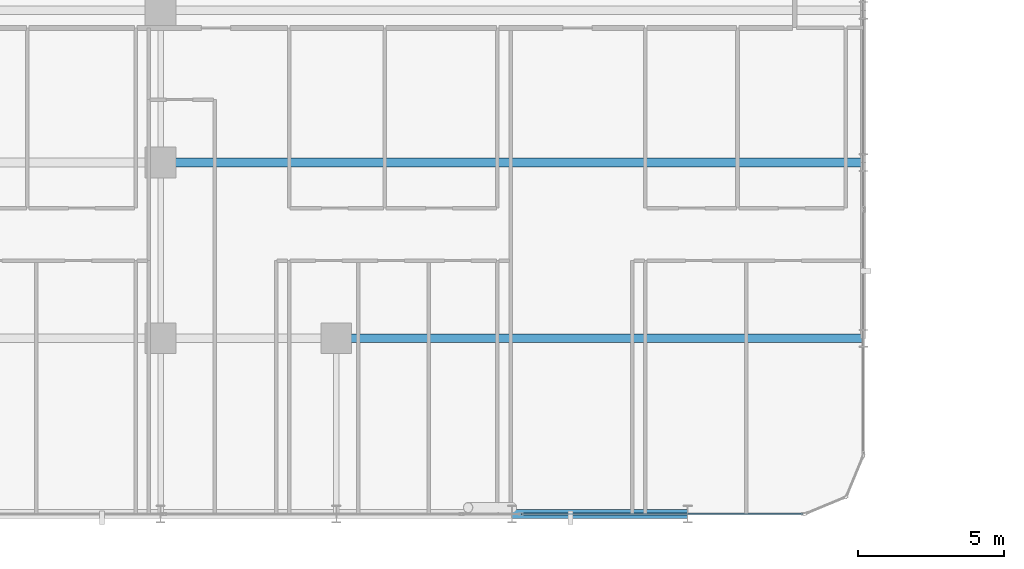
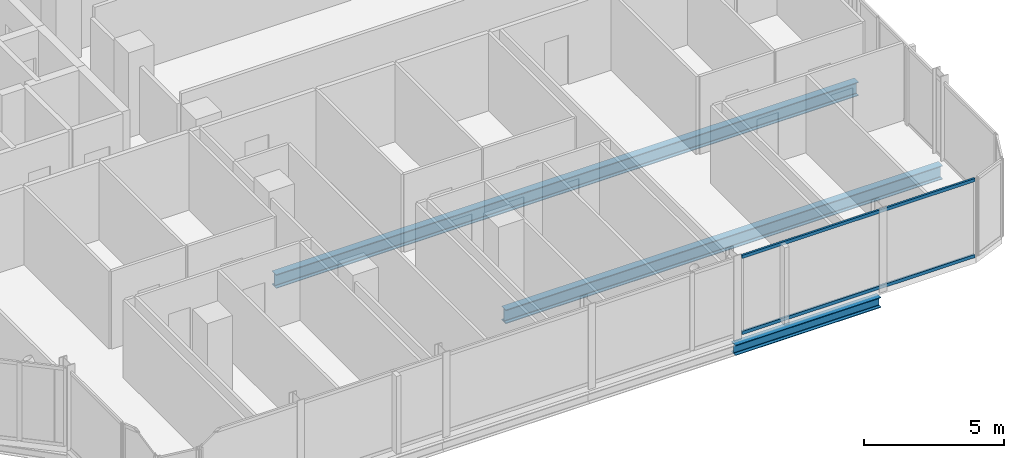
# One storey, part 9 of 29: 3 beams, 2 members, 1 element without a shape of its own.
"""IFC4 building model written with IfcOpenShell, lengths in metres."""

from ifc_helpers import new_model, si_unit, direction, frame, origin, origin_2d, place, context, subcontext, project, spatial, hollow_rectangle, i_section, extrude, material, layer, layer_set, material_profile, profile_set, type_object, element, aggregate, save


model = new_model("IFC4")

# Units and contexts
model_context = context("Model", 3, precision=1e-05, world=origin(), true_north=direction((0.0, 1.0)))
body_context = subcontext(model_context, "Body", "Model", "MODEL_VIEW")
ifc_project = project(units=[si_unit("LENGTHUNIT", "METRE"), si_unit("AREAUNIT", "SQUARE_METRE"), si_unit("VOLUMEUNIT", "CUBIC_METRE"), si_unit("PLANEANGLEUNIT", "RADIAN"), si_unit("MASSUNIT", "GRAM", prefix="KILO")], contexts=[model_context])

# Site, building, storey
site_placement = place(None, origin())
site = spatial("IfcSite", under=ifc_project, at=site_placement, CompositionType="ELEMENT")
building_placement = place(site_placement, origin())
building = spatial("IfcBuilding", under=site, at=building_placement, Name="Keshet Zoharim Tower", CompositionType="ELEMENT")
storey_placement = place(building_placement, frame((0.0, 0.0, 102.0)))
storey = spatial("IfcBuildingStorey", under=building, at=storey_placement, Name="L24", CompositionType="ELEMENT", Elevation=102.0)

# Beams
ifc_material_1 = material(Name="Steel S355", Category="steel")
ifc_material_profile_1 = material_profile(ifc_material_1, i_section(OverallWidth=0.300048828125, OverallDepth=0.60009765625, WebThickness=0.015380859375, FlangeThickness=0.030029296875, FilletRadius=0.027099609375, at=origin_2d()), Name="HEB600")
ifc_profile_set_1 = profile_set([ifc_material_profile_1], Name="Steel S355")
beam_type_1 = type_object("IfcBeamType", Name="BM-LNG-HB600", PredefinedType="BEAM", material=ifc_profile_set_1)
beam_1_placement = place(storey_placement, frame((39.0, 6.699951171875, -0.614990234375), z_axis=(1.0, 0.0, 0.0), x_axis=(0.0, 1.0, 0.0)))
element("IfcBeam", 1, at=beam_1_placement, inside=storey, type_object=beam_type_1, Name="L24 Primary Girder X-008", PredefinedType="BEAM", context=body_context, shape_type="SweptSolid", body=[
    extrude(i_section(OverallWidth=0.300048828125, OverallDepth=0.60009765625, WebThickness=0.015380859375, FlangeThickness=0.030029296875, FilletRadius=0.027099609375, at=origin_2d()), origin(), (0.0, 0.0, 1.0), 18.0),
])
beam_2_placement = place(storey_placement, frame((33.0, 12.699951171875, -0.614990234375), z_axis=(1.0, 0.0, 0.0), x_axis=(0.0, 1.0, 0.0)))
element("IfcBeam", 2, at=beam_2_placement, inside=storey, type_object=beam_type_1, Name="L24 Primary Girder X-010", PredefinedType="BEAM", context=body_context, shape_type="SweptSolid", body=[
    extrude(i_section(OverallWidth=0.300048828125, OverallDepth=0.60009765625, WebThickness=0.015380859375, FlangeThickness=0.030029296875, FilletRadius=0.027099609375, at=origin_2d()), origin(), (0.0, 0.0, 1.0), 24.0),
])
ifc_material_profile_2 = material_profile(ifc_material_1, i_section(OverallWidth=0.300048828125, OverallDepth=0.449951171875, WebThickness=0.013916015625, FlangeThickness=0.02587890625, FilletRadius=0.027099609375, at=origin_2d()), Name="HEB450")
ifc_profile_set_2 = profile_set([ifc_material_profile_2], Name="Steel S355")
beam_type_2 = type_object("IfcBeamType", Name="BM-WEB-HB450", PredefinedType="BEAM", material=ifc_profile_set_2)
beam_3_placement = place(storey_placement, frame((45.0, 0.699951171875, -0.5400390625), z_axis=(1.0, 0.0, 0.0), x_axis=(0.0, 1.0, 0.0)))
element("IfcBeam", 3, at=beam_3_placement, inside=storey, type_object=beam_type_2, Name="L24 Primary Girder X-004", PredefinedType="BEAM", context=body_context, shape_type="SweptSolid", body=[
    extrude(i_section(OverallWidth=0.300048828125, OverallDepth=0.449951171875, WebThickness=0.013916015625, FlangeThickness=0.02587890625, FilletRadius=0.027099609375, at=origin_2d()), origin(), (0.0, 0.0, 1.0), 6.0),
])

# Curtain wall, members
ifc_material_2 = material(Name="Aluminium 6063-T6", Category="aluminium")
ifc_layer = layer(ifc_material_2, 0.159912109375)
ifc_layer_set = layer_set([ifc_layer], Name="Aluminium 6063-T6")
curtain_wall_type = type_object("IfcCurtainWallType", Name="CW-SYS-03", PredefinedType="NOTDEFINED", material=ifc_layer_set)
curtain_wall_placement = place(storey_placement, origin())
curtain_wall = element("IfcCurtainWall", 4, at=curtain_wall_placement, inside=storey, type_object=curtain_wall_type, Name="L24 Unitised Curtain Wall 03", PredefinedType="NOTDEFINED")
ifc_material_profile_3 = material_profile(ifc_material_2, hollow_rectangle(XDim=0.080078125, YDim=0.139892578125, WallThickness=0.00390625, at=origin_2d()), Name="TRN-80x140")
ifc_profile_set_3 = profile_set([ifc_material_profile_3], Name="Aluminium 6063-T6")
member_type = type_object("IfcMemberType", Name="CWT-T14", PredefinedType="USERDEFINED", material=ifc_profile_set_3)
member_1_placement = place(storey_placement, frame((54.929931640625, 0.699951171875, 0.034912109375), z_axis=(-1.0, 0.0, 0.0), x_axis=(0.0, -1.0, 0.0)))
member_1 = element("IfcMember", 5, at=member_1_placement, type_object=member_type, Name="CW-03 transom 1.1", ObjectType="TRANSOM", PredefinedType="USERDEFINED", context=body_context, shape_type="SweptSolid", body=[
    extrude(hollow_rectangle(XDim=0.080078125, YDim=0.139892578125, WallThickness=0.00390625, at=origin_2d()), origin(), (0.0, 0.0, 1.0), 9.597412109375),
])
member_2_placement = place(storey_placement, frame((54.929931640625, 0.699951171875, 3.35009765625), z_axis=(-1.0, 0.0, 0.0), x_axis=(0.0, -1.0, 0.0)))
member_2 = element("IfcMember", 6, at=member_2_placement, type_object=member_type, Name="CW-03 transom 1.2", ObjectType="TRANSOM", PredefinedType="USERDEFINED", context=body_context, shape_type="SweptSolid", body=[
    extrude(hollow_rectangle(XDim=0.080078125, YDim=0.139892578125, WallThickness=0.00390625, at=origin_2d()), origin(), (0.0, 0.0, 1.0), 9.597412109375),
])
aggregate(curtain_wall, [member_1, member_2])

save(model, "model.ifc")
